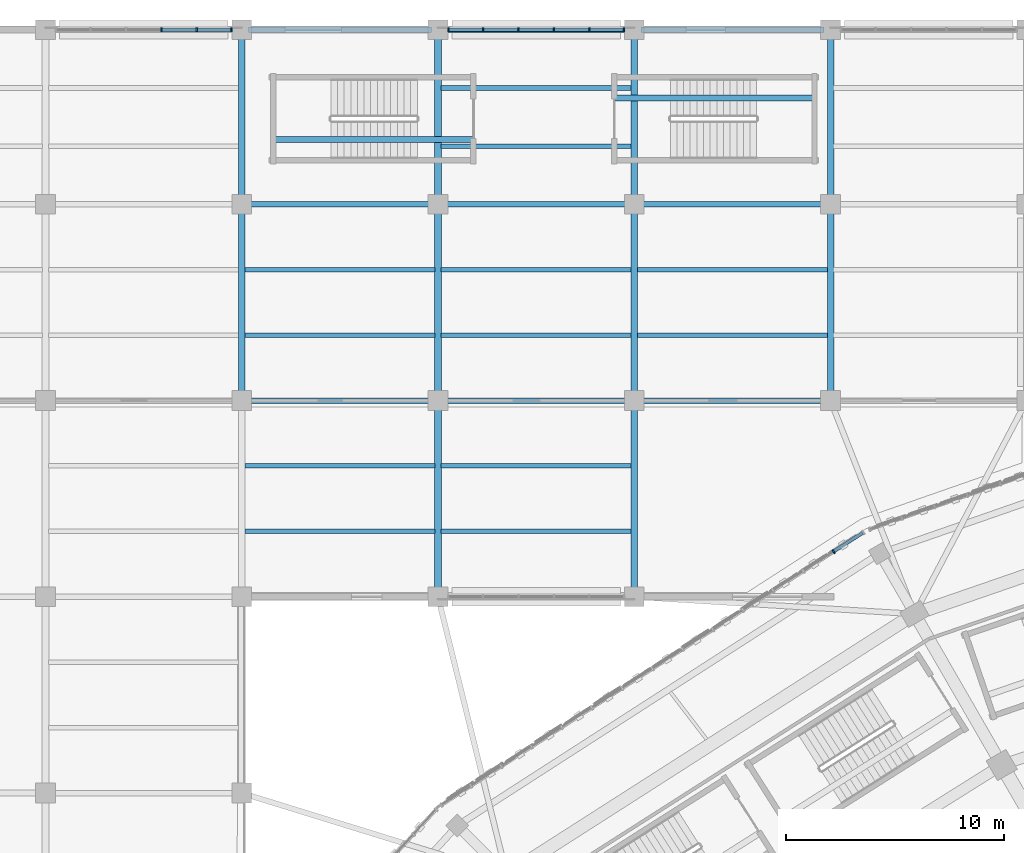
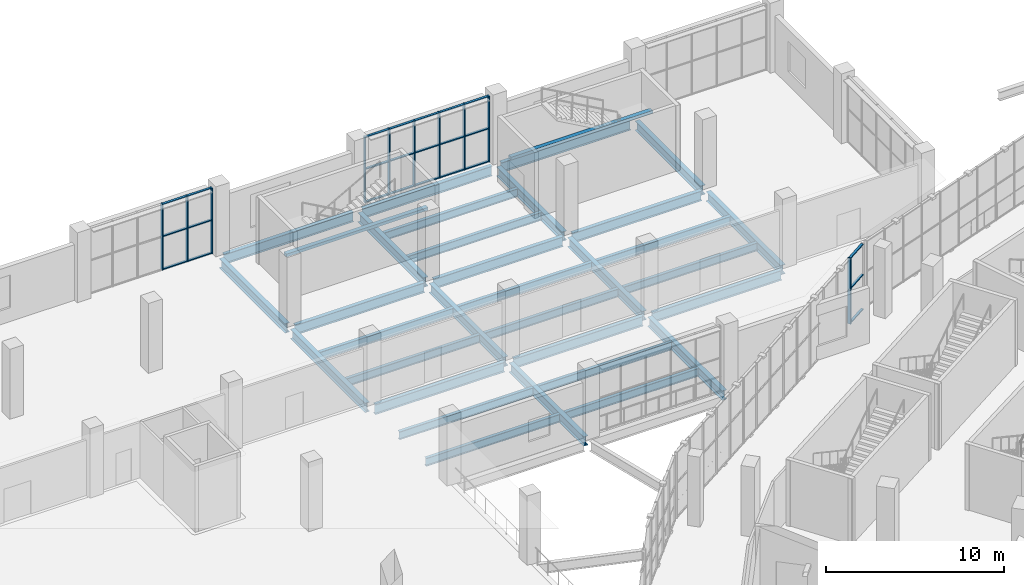
# One storey, part 52 of 183: 34 members, 33 beams, 3 elements without a shape of their own.
"""IFC4 building model written with IfcOpenShell, lengths in metres."""

from ifc_helpers import new_model, si_unit, direction, frame, origin, origin_2d, place, context, subcontext, project, spatial, rectangle, i_section, extrude, material, material_profile, profile_set, type_object, element, aggregate, save


model = new_model("IFC4")

# Units and contexts
model_context = context("Model", 3, precision=1e-05, world=origin(), true_north=direction((0.0, 1.0)))
body_context = subcontext(model_context, "Body", "Model", "MODEL_VIEW")
ifc_project = project(units=[si_unit("LENGTHUNIT", "METRE"), si_unit("AREAUNIT", "SQUARE_METRE"), si_unit("VOLUMEUNIT", "CUBIC_METRE"), si_unit("PLANEANGLEUNIT", "RADIAN"), si_unit("MASSUNIT", "GRAM", prefix="KILO")], contexts=[model_context])

# Site, building, storey
site_placement = place(None, origin())
site = spatial("IfcSite", under=ifc_project, at=site_placement, CompositionType="ELEMENT")
building_placement = place(site_placement, origin())
building = spatial("IfcBuilding", under=site, at=building_placement, Name="Zevraka Park Crest Stadium", CompositionType="ELEMENT")
storey_placement = place(building_placement, frame((0.0, 0.0, 5.39990234375)))
storey = spatial("IfcBuildingStorey", under=building, at=storey_placement, Name="L01", CompositionType="ELEMENT", Elevation=5.39990234375)

# Beams
ifc_material_1 = material(Name="Steel S355", Category="steel")
ifc_material_profile_1 = material_profile(ifc_material_1, i_section(OverallWidth=0.253662109375, OverallDepth=0.68359375, WebThickness=0.012451171875, FlangeThickness=0.01904296875, at=origin_2d()), Name="UKB 686x254x140")
ifc_profile_set_1 = profile_set([ifc_material_profile_1], Name="Steel S355")
beam_type_1 = type_object("IfcBeamType", Name="BG05", PredefinedType="BEAM", material=ifc_profile_set_1)
for number, where, z_axis, x_axis, name in (
    (1, (36.300048828125, 167.0, -0.649658203125), (1.0, 0.0, 0.0), (0.0, 1.0, 0.0), "Wing Girder BG05 L01-56/U"),
    (2, (36.300048828125, 176.0, -0.649658203125), (1.0, 0.0, 0.0), (0.0, 1.0, 0.0), "Wing Girder BG05 L01-56/V"),
    (3, (36.300048828125, 184.0, -0.649658203125), (1.0, 0.0, 0.0), (0.0, 1.0, 0.0), "Wing Girder BG05 L01-56/W"),
    (4, (45.300048828125, 167.0, -0.649658203125), (1.0, 0.0, 0.0), (0.0, 1.0, 0.0), "Wing Girder BG05 L01-67/U"),
    (5, (45.300048828125, 176.0, -0.649658203125), (1.0, 0.0, 0.0), (0.0, 1.0, 0.0), "Wing Girder BG05 L01-67/V"),
    (6, (45.300048828125, 184.0, -0.649658203125), (1.0, 0.0, 0.0), (0.0, 1.0, 0.0), "Wing Girder BG05 L01-67/W"),
    (7, (54.300048828125, 167.0, -0.649658203125), (1.0, 0.0, 0.0), (0.0, 1.0, 0.0), "Wing Girder BG05 L01-78/U"),
    (8, (54.300048828125, 176.0, -0.649658203125), (1.0, 0.0, 0.0), (0.0, 1.0, 0.0), "Wing Girder BG05 L01-78/V"),
    (9, (54.300048828125, 184.0, -0.649658203125), (1.0, 0.0, 0.0), (0.0, 1.0, 0.0), "Wing Girder BG05 L01-78/W"),
):
    element("IfcBeam", number, at=place(storey_placement, frame(where, z_axis=z_axis, x_axis=x_axis)), inside=storey, type_object=beam_type_1, Name=name, PredefinedType="BEAM", context=body_context, shape_type="SweptSolid", body=[
        extrude(i_section(OverallWidth=0.253662109375, OverallDepth=0.68359375, WebThickness=0.012451171875, FlangeThickness=0.01904296875, at=origin_2d()), origin(), (0.0, 0.0, 1.0), 8.39990234375),
    ])
ifc_material_2 = material(Name="Steel S355", Category="steel")
ifc_material_profile_2 = material_profile(ifc_material_2, i_section(OverallWidth=0.300048828125, OverallDepth=0.64990234375, WebThickness=0.01611328125, FlangeThickness=0.031005859375, at=origin_2d()), Name="HEB 650")
ifc_profile_set_2 = profile_set([ifc_material_profile_2], Name="Steel S355")
beam_type_2 = type_object("IfcBeamType", Name="BG07", PredefinedType="BEAM", material=ifc_profile_set_2)
beam_1_placement = place(storey_placement, frame((36.0, 167.300048828125, -0.6328125), z_axis=(0.0, 1.0, 0.0), x_axis=(-1.0, 0.0, 0.0)))
element("IfcBeam", 10, at=beam_1_placement, inside=storey, type_object=beam_type_2, Name="Wing Girder BG07 L01-5/UV", PredefinedType="BEAM", context=body_context, shape_type="SweptSolid", body=[
    extrude(i_section(OverallWidth=0.300048828125, OverallDepth=0.64990234375, WebThickness=0.01611328125, FlangeThickness=0.031005859375, at=origin_2d()), origin(), (0.0, 0.0, 1.0), 8.39990234375),
])
beam_2_placement = place(storey_placement, frame((36.0, 176.300048828125, -0.6328125), z_axis=(0.0, 1.0, 0.0), x_axis=(-1.0, 0.0, 0.0)))
element("IfcBeam", 11, at=beam_2_placement, inside=storey, type_object=beam_type_2, Name="Wing Girder BG07 L01-5/VW", PredefinedType="BEAM", context=body_context, shape_type="SweptSolid", body=[
    extrude(i_section(OverallWidth=0.300048828125, OverallDepth=0.64990234375, WebThickness=0.01611328125, FlangeThickness=0.031005859375, at=origin_2d()), origin(), (0.0, 0.0, 1.0), 7.39990234375),
])
for number, where, z_axis, x_axis, name in (
    (12, (45.0, 158.300048828125, -0.6328125), (0.0, 1.0, 0.0), (-1.0, 0.0, 0.0), "Wing Girder BG07 L01-6/TU"),
    (13, (45.0, 167.300048828125, -0.6328125), (0.0, 1.0, 0.0), (-1.0, 0.0, 0.0), "Wing Girder BG07 L01-6/UV"),
):
    element("IfcBeam", number, at=place(storey_placement, frame(where, z_axis=z_axis, x_axis=x_axis)), inside=storey, type_object=beam_type_2, Name=name, PredefinedType="BEAM", context=body_context, shape_type="SweptSolid", body=[
        extrude(i_section(OverallWidth=0.300048828125, OverallDepth=0.64990234375, WebThickness=0.01611328125, FlangeThickness=0.031005859375, at=origin_2d()), origin(), (0.0, 0.0, 1.0), 8.39990234375),
    ])
beam_3_placement = place(storey_placement, frame((45.0, 176.300048828125, -0.6328125), z_axis=(0.0, 1.0, 0.0), x_axis=(-1.0, 0.0, 0.0)))
element("IfcBeam", 14, at=beam_3_placement, inside=storey, type_object=beam_type_2, Name="Wing Girder BG07 L01-6/VW", PredefinedType="BEAM", context=body_context, shape_type="SweptSolid", body=[
    extrude(i_section(OverallWidth=0.300048828125, OverallDepth=0.64990234375, WebThickness=0.01611328125, FlangeThickness=0.031005859375, at=origin_2d()), origin(), (0.0, 0.0, 1.0), 7.39990234375),
])
for number, where, z_axis, x_axis, name in (
    (15, (54.0, 158.300048828125, -0.6328125), (0.0, 1.0, 0.0), (-1.0, 0.0, 0.0), "Wing Girder BG07 L01-7/TU"),
    (16, (54.0, 167.300048828125, -0.6328125), (0.0, 1.0, 0.0), (-1.0, 0.0, 0.0), "Wing Girder BG07 L01-7/UV"),
):
    element("IfcBeam", number, at=place(storey_placement, frame(where, z_axis=z_axis, x_axis=x_axis)), inside=storey, type_object=beam_type_2, Name=name, PredefinedType="BEAM", context=body_context, shape_type="SweptSolid", body=[
        extrude(i_section(OverallWidth=0.300048828125, OverallDepth=0.64990234375, WebThickness=0.01611328125, FlangeThickness=0.031005859375, at=origin_2d()), origin(), (0.0, 0.0, 1.0), 8.39990234375),
    ])
beam_4_placement = place(storey_placement, frame((54.0, 176.300048828125, -0.6328125), z_axis=(0.0, 1.0, 0.0), x_axis=(-1.0, 0.0, 0.0)))
element("IfcBeam", 17, at=beam_4_placement, inside=storey, type_object=beam_type_2, Name="Wing Girder BG07 L01-7/VW", PredefinedType="BEAM", context=body_context, shape_type="SweptSolid", body=[
    extrude(i_section(OverallWidth=0.300048828125, OverallDepth=0.64990234375, WebThickness=0.01611328125, FlangeThickness=0.031005859375, at=origin_2d()), origin(), (0.0, 0.0, 1.0), 7.39990234375),
])
beam_5_placement = place(storey_placement, frame((63.0, 167.300048828125, -0.6328125), z_axis=(0.0, 1.0, 0.0), x_axis=(-1.0, 0.0, 0.0)))
element("IfcBeam", 18, at=beam_5_placement, inside=storey, type_object=beam_type_2, Name="Wing Girder BG07 L01-8/UV", PredefinedType="BEAM", context=body_context, shape_type="SweptSolid", body=[
    extrude(i_section(OverallWidth=0.300048828125, OverallDepth=0.64990234375, WebThickness=0.01611328125, FlangeThickness=0.031005859375, at=origin_2d()), origin(), (0.0, 0.0, 1.0), 8.39990234375),
])
beam_6_placement = place(storey_placement, frame((63.0, 176.300048828125, -0.6328125), z_axis=(0.0, 1.0, 0.0), x_axis=(-1.0, 0.0, 0.0)))
element("IfcBeam", 19, at=beam_6_placement, inside=storey, type_object=beam_type_2, Name="Wing Girder BG07 L01-8/VW", PredefinedType="BEAM", context=body_context, shape_type="SweptSolid", body=[
    extrude(i_section(OverallWidth=0.300048828125, OverallDepth=0.64990234375, WebThickness=0.01611328125, FlangeThickness=0.031005859375, at=origin_2d()), origin(), (0.0, 0.0, 1.0), 7.39990234375),
])

# Curtain wall, member
ifc_material_3 = material(Name="Anodised architectural aluminium and laminated safety glass", Category="aluminium")
curtain_wall_type_1 = type_object("IfcCurtainWallType", Name="CW03", PredefinedType="NOTDEFINED", material=ifc_material_3)
curtain_wall_1_placement = place(storey_placement, origin())
curtain_wall_1 = element("IfcCurtainWall", 20, at=curtain_wall_1_placement, inside=storey, type_object=curtain_wall_type_1, Name="Unitised Ring Curtain Wall CW03 L01-08", PredefinedType="NOTDEFINED")
ifc_material_4 = material(Name="Anodised architectural aluminium", Category="aluminium")
ifc_material_profile_3 = material_profile(ifc_material_4, rectangle(XDim=0.199951171875, YDim=0.070068359375, at=origin_2d()), Name="ALU MULLION 200x70")
ifc_profile_set_3 = profile_set([ifc_material_profile_3], Name="Anodised architectural aluminium")
member_type_1 = type_object("IfcMemberType", Name="CM03", PredefinedType="MULLION", material=ifc_profile_set_3)
member_1_placement = place(storey_placement, frame((63.140380859375, 160.071044921875, 0.0), z_axis=(0.0, 0.0, 1.0), x_axis=(0.542570628938, -0.840010186018, 0.0)))
member_1 = element("IfcMember", 21, at=member_1_placement, type_object=member_type_1, Name="CW03 mullion 2", PredefinedType="MULLION", context=body_context, shape_type="SweptSolid", body=[
    extrude(rectangle(XDim=0.199951171875, YDim=0.070068359375, at=origin_2d()), origin(), (0.0, 0.0, 1.0), 4.52001953125),
])

# Curtain wall, members
ifc_material_5 = material(Name="Anodised architectural aluminium and laminated safety glass", Category="aluminium")
curtain_wall_type_2 = type_object("IfcCurtainWallType", Name="CW30", PredefinedType="NOTDEFINED", material=ifc_material_5)
curtain_wall_2_placement = place(storey_placement, origin())
curtain_wall_2 = element("IfcCurtainWall", 22, at=curtain_wall_2_placement, inside=storey, type_object=curtain_wall_type_2, Name="Wing Curtain Wall CW30 L01-NW-N-4", PredefinedType="NOTDEFINED")
member_2_placement = place(storey_placement, frame((32.31201171875, 184.0, 0.0), z_axis=(0.0, 0.0, 1.0), x_axis=(0.0, 1.0, 0.0)))
member_2 = element("IfcMember", 23, at=member_2_placement, type_object=member_type_1, Name="CW30 mullion 4", PredefinedType="MULLION", context=body_context, shape_type="SweptSolid", body=[
    extrude(rectangle(XDim=0.199951171875, YDim=0.070068359375, at=origin_2d()), origin(), (0.0, 0.0, 1.0), 4.52001953125),
])
member_3_placement = place(storey_placement, frame((33.93603515625, 184.0, 0.0), z_axis=(0.0, 0.0, 1.0), x_axis=(0.0, 1.0, 0.0)))
member_3 = element("IfcMember", 24, at=member_3_placement, type_object=member_type_1, Name="CW30 mullion 5", PredefinedType="MULLION", context=body_context, shape_type="SweptSolid", body=[
    extrude(rectangle(XDim=0.199951171875, YDim=0.070068359375, at=origin_2d()), origin(), (0.0, 0.0, 1.0), 4.52001953125),
])
member_4_placement = place(storey_placement, frame((35.52490234375, 184.0, 0.0), z_axis=(0.0, 0.0, 1.0), x_axis=(0.0, 1.0, 0.0)))
member_4 = element("IfcMember", 25, at=member_4_placement, type_object=member_type_1, Name="CW30 mullion 6", PredefinedType="MULLION", context=body_context, shape_type="SweptSolid", body=[
    extrude(rectangle(XDim=0.199951171875, YDim=0.070068359375, at=origin_2d()), origin(), (0.0, 0.0, 1.0), 4.52001953125),
])

ifc_material_6 = material(Name="Anodised architectural aluminium and laminated safety glass", Category="aluminium")
curtain_wall_type_3 = type_object("IfcCurtainWallType", Name="CW27", PredefinedType="NOTDEFINED", material=ifc_material_6)
curtain_wall_3_placement = place(storey_placement, origin())
curtain_wall_3 = element("IfcCurtainWall", 26, at=curtain_wall_3_placement, inside=storey, type_object=curtain_wall_type_3, Name="Wing Curtain Wall CW27 L01-NW-N-6", PredefinedType="NOTDEFINED")
member_5_placement = place(storey_placement, frame((45.47509765625, 184.0, 0.0), z_axis=(0.0, 0.0, 1.0), x_axis=(0.0, 1.0, 0.0)))
member_5 = element("IfcMember", 27, at=member_5_placement, type_object=member_type_1, Name="CW27 mullion 1", PredefinedType="MULLION", context=body_context, shape_type="SweptSolid", body=[
    extrude(rectangle(XDim=0.199951171875, YDim=0.070068359375, at=origin_2d()), origin(), (0.0, 0.0, 1.0), 4.52001953125),
])
member_6_placement = place(storey_placement, frame((47.06396484375, 184.0, 0.0), z_axis=(0.0, 0.0, 1.0), x_axis=(0.0, 1.0, 0.0)))
member_6 = element("IfcMember", 28, at=member_6_placement, type_object=member_type_1, Name="CW27 mullion 2", PredefinedType="MULLION", context=body_context, shape_type="SweptSolid", body=[
    extrude(rectangle(XDim=0.199951171875, YDim=0.070068359375, at=origin_2d()), origin(), (0.0, 0.0, 1.0), 4.52001953125),
])
member_7_placement = place(storey_placement, frame((48.68798828125, 184.0, 0.0), z_axis=(0.0, 0.0, 1.0), x_axis=(0.0, 1.0, 0.0)))
member_7 = element("IfcMember", 29, at=member_7_placement, type_object=member_type_1, Name="CW27 mullion 3", PredefinedType="MULLION", context=body_context, shape_type="SweptSolid", body=[
    extrude(rectangle(XDim=0.199951171875, YDim=0.070068359375, at=origin_2d()), origin(), (0.0, 0.0, 1.0), 4.52001953125),
])
member_8_placement = place(storey_placement, frame((50.31201171875, 184.0, 0.0), z_axis=(0.0, 0.0, 1.0), x_axis=(0.0, 1.0, 0.0)))
member_8 = element("IfcMember", 30, at=member_8_placement, type_object=member_type_1, Name="CW27 mullion 4", PredefinedType="MULLION", context=body_context, shape_type="SweptSolid", body=[
    extrude(rectangle(XDim=0.199951171875, YDim=0.070068359375, at=origin_2d()), origin(), (0.0, 0.0, 1.0), 4.52001953125),
])
member_9_placement = place(storey_placement, frame((51.93603515625, 184.0, 0.0), z_axis=(0.0, 0.0, 1.0), x_axis=(0.0, 1.0, 0.0)))
member_9 = element("IfcMember", 31, at=member_9_placement, type_object=member_type_1, Name="CW27 mullion 5", PredefinedType="MULLION", context=body_context, shape_type="SweptSolid", body=[
    extrude(rectangle(XDim=0.199951171875, YDim=0.070068359375, at=origin_2d()), origin(), (0.0, 0.0, 1.0), 4.52001953125),
])
member_10_placement = place(storey_placement, frame((53.52490234375, 184.0, 0.0), z_axis=(0.0, 0.0, 1.0), x_axis=(0.0, 1.0, 0.0)))
member_10 = element("IfcMember", 32, at=member_10_placement, type_object=member_type_1, Name="CW27 mullion 6", PredefinedType="MULLION", context=body_context, shape_type="SweptSolid", body=[
    extrude(rectangle(XDim=0.199951171875, YDim=0.070068359375, at=origin_2d()), origin(), (0.0, 0.0, 1.0), 4.52001953125),
])

# Member
ifc_material_7 = material(Name="Anodised architectural aluminium", Category="aluminium")
ifc_material_profile_4 = material_profile(ifc_material_7, rectangle(XDim=0.14990234375, YDim=0.070068359375, at=origin_2d()), Name="ALU TRANSOM 150x70")
ifc_profile_set_4 = profile_set([ifc_material_profile_4], Name="Anodised architectural aluminium")
member_type_2 = type_object("IfcMemberType", Name="CT03", PredefinedType="USERDEFINED", material=ifc_profile_set_4)
member_11_placement = place(storey_placement, frame((64.46728515625, 160.927978515625, 0.03515625), z_axis=(-0.840082895717, -0.542458042916, 0.0), x_axis=(0.542458042916, -0.840082895717, 0.0)))
member_11 = element("IfcMember", 33, at=member_11_placement, type_object=member_type_2, Name="CW03 transom 1.1", ObjectType="TRANSOM", PredefinedType="USERDEFINED", context=body_context, shape_type="SweptSolid", body=[
    extrude(rectangle(XDim=0.14990234375, YDim=0.070068359375, at=origin_2d()), origin(), (0.0, 0.0, 1.0), 1.544677734375),
])

member_12_placement = place(storey_placement, frame((64.46728515625, 160.927978515625, 2.400146484375), z_axis=(-0.840082895717, -0.542458042916, 0.0), x_axis=(0.542458042916, -0.840082895717, 0.0)))
member_12 = element("IfcMember", 34, at=member_12_placement, type_object=member_type_2, Name="CW03 transom 1.2", ObjectType="TRANSOM", PredefinedType="USERDEFINED", context=body_context, shape_type="SweptSolid", body=[
    extrude(rectangle(XDim=0.14990234375, YDim=0.070068359375, at=origin_2d()), origin(), (0.0, 0.0, 1.0), 1.544677734375),
])

member_13_placement = place(storey_placement, frame((64.46728515625, 160.927978515625, 4.485107421875), z_axis=(-0.840082895717, -0.542458042916, 0.0), x_axis=(0.542458042916, -0.840082895717, 0.0)))
member_13 = element("IfcMember", 35, at=member_13_placement, type_object=member_type_2, Name="CW03 transom 1.3", ObjectType="TRANSOM", PredefinedType="USERDEFINED", context=body_context, shape_type="SweptSolid", body=[
    extrude(rectangle(XDim=0.14990234375, YDim=0.070068359375, at=origin_2d()), origin(), (0.0, 0.0, 1.0), 1.544677734375),
])

aggregate(curtain_wall_1, [member_1, member_11, member_12, member_13])

member_14_placement = place(storey_placement, frame((32.346923828125, 184.0, 0.03515625), z_axis=(1.0, 0.0, 0.0), x_axis=(0.0, 1.0, 0.0)))
member_14 = element("IfcMember", 36, at=member_14_placement, type_object=member_type_2, Name="CW30 transom 4.1", ObjectType="TRANSOM", PredefinedType="USERDEFINED", context=body_context, shape_type="SweptSolid", body=[
    extrude(rectangle(XDim=0.14990234375, YDim=0.070068359375, at=origin_2d()), origin(), (0.0, 0.0, 1.0), 1.553955078125),
])

member_15_placement = place(storey_placement, frame((32.346923828125, 184.0, 2.300048828125), z_axis=(1.0, 0.0, 0.0), x_axis=(0.0, 1.0, 0.0)))
member_15 = element("IfcMember", 37, at=member_15_placement, type_object=member_type_2, Name="CW30 transom 4.2", ObjectType="TRANSOM", PredefinedType="USERDEFINED", context=body_context, shape_type="SweptSolid", body=[
    extrude(rectangle(XDim=0.14990234375, YDim=0.070068359375, at=origin_2d()), origin(), (0.0, 0.0, 1.0), 1.553955078125),
])

member_16_placement = place(storey_placement, frame((32.346923828125, 184.0, 4.485107421875), z_axis=(1.0, 0.0, 0.0), x_axis=(0.0, 1.0, 0.0)))
member_16 = element("IfcMember", 38, at=member_16_placement, type_object=member_type_2, Name="CW30 transom 4.3", ObjectType="TRANSOM", PredefinedType="USERDEFINED", context=body_context, shape_type="SweptSolid", body=[
    extrude(rectangle(XDim=0.14990234375, YDim=0.070068359375, at=origin_2d()), origin(), (0.0, 0.0, 1.0), 1.553955078125),
])

member_17_placement = place(storey_placement, frame((33.970947265625, 184.0, 0.03515625), z_axis=(1.0, 0.0, 0.0), x_axis=(0.0, 1.0, 0.0)))
member_17 = element("IfcMember", 39, at=member_17_placement, type_object=member_type_2, Name="CW30 transom 5.1", ObjectType="TRANSOM", PredefinedType="USERDEFINED", context=body_context, shape_type="SweptSolid", body=[
    extrude(rectangle(XDim=0.14990234375, YDim=0.070068359375, at=origin_2d()), origin(), (0.0, 0.0, 1.0), 1.51904296875),
])

member_18_placement = place(storey_placement, frame((33.970947265625, 184.0, 2.300048828125), z_axis=(1.0, 0.0, 0.0), x_axis=(0.0, 1.0, 0.0)))
member_18 = element("IfcMember", 40, at=member_18_placement, type_object=member_type_2, Name="CW30 transom 5.2", ObjectType="TRANSOM", PredefinedType="USERDEFINED", context=body_context, shape_type="SweptSolid", body=[
    extrude(rectangle(XDim=0.14990234375, YDim=0.070068359375, at=origin_2d()), origin(), (0.0, 0.0, 1.0), 1.51904296875),
])

member_19_placement = place(storey_placement, frame((33.970947265625, 184.0, 4.485107421875), z_axis=(1.0, 0.0, 0.0), x_axis=(0.0, 1.0, 0.0)))
member_19 = element("IfcMember", 41, at=member_19_placement, type_object=member_type_2, Name="CW30 transom 5.3", ObjectType="TRANSOM", PredefinedType="USERDEFINED", context=body_context, shape_type="SweptSolid", body=[
    extrude(rectangle(XDim=0.14990234375, YDim=0.070068359375, at=origin_2d()), origin(), (0.0, 0.0, 1.0), 1.51904296875),
])

aggregate(curtain_wall_2, [member_2, member_3, member_4, member_14, member_15, member_16, member_17, member_18, member_19])

member_20_placement = place(storey_placement, frame((45.510009765625, 184.0, 0.03515625), z_axis=(1.0, 0.0, 0.0), x_axis=(0.0, 1.0, 0.0)))
member_20 = element("IfcMember", 42, at=member_20_placement, type_object=member_type_2, Name="CW27 transom 1.1", ObjectType="TRANSOM", PredefinedType="USERDEFINED", context=body_context, shape_type="SweptSolid", body=[
    extrude(rectangle(XDim=0.14990234375, YDim=0.070068359375, at=origin_2d()), origin(), (0.0, 0.0, 1.0), 1.51904296875),
])

member_21_placement = place(storey_placement, frame((45.510009765625, 184.0, 2.300048828125), z_axis=(1.0, 0.0, 0.0), x_axis=(0.0, 1.0, 0.0)))
member_21 = element("IfcMember", 43, at=member_21_placement, type_object=member_type_2, Name="CW27 transom 1.2", ObjectType="TRANSOM", PredefinedType="USERDEFINED", context=body_context, shape_type="SweptSolid", body=[
    extrude(rectangle(XDim=0.14990234375, YDim=0.070068359375, at=origin_2d()), origin(), (0.0, 0.0, 1.0), 1.51904296875),
])

member_22_placement = place(storey_placement, frame((45.510009765625, 184.0, 4.485107421875), z_axis=(1.0, 0.0, 0.0), x_axis=(0.0, 1.0, 0.0)))
member_22 = element("IfcMember", 44, at=member_22_placement, type_object=member_type_2, Name="CW27 transom 1.3", ObjectType="TRANSOM", PredefinedType="USERDEFINED", context=body_context, shape_type="SweptSolid", body=[
    extrude(rectangle(XDim=0.14990234375, YDim=0.070068359375, at=origin_2d()), origin(), (0.0, 0.0, 1.0), 1.51904296875),
])

member_23_placement = place(storey_placement, frame((47.09912109375, 184.0, 0.03515625), z_axis=(1.0, 0.0, 0.0), x_axis=(0.0, 1.0, 0.0)))
member_23 = element("IfcMember", 45, at=member_23_placement, type_object=member_type_2, Name="CW27 transom 2.1", ObjectType="TRANSOM", PredefinedType="USERDEFINED", context=body_context, shape_type="SweptSolid", body=[
    extrude(rectangle(XDim=0.14990234375, YDim=0.070068359375, at=origin_2d()), origin(), (0.0, 0.0, 1.0), 1.553955078125),
])

member_24_placement = place(storey_placement, frame((47.09912109375, 184.0, 2.300048828125), z_axis=(1.0, 0.0, 0.0), x_axis=(0.0, 1.0, 0.0)))
member_24 = element("IfcMember", 46, at=member_24_placement, type_object=member_type_2, Name="CW27 transom 2.2", ObjectType="TRANSOM", PredefinedType="USERDEFINED", context=body_context, shape_type="SweptSolid", body=[
    extrude(rectangle(XDim=0.14990234375, YDim=0.070068359375, at=origin_2d()), origin(), (0.0, 0.0, 1.0), 1.553955078125),
])

member_25_placement = place(storey_placement, frame((47.09912109375, 184.0, 4.485107421875), z_axis=(1.0, 0.0, 0.0), x_axis=(0.0, 1.0, 0.0)))
member_25 = element("IfcMember", 47, at=member_25_placement, type_object=member_type_2, Name="CW27 transom 2.3", ObjectType="TRANSOM", PredefinedType="USERDEFINED", context=body_context, shape_type="SweptSolid", body=[
    extrude(rectangle(XDim=0.14990234375, YDim=0.070068359375, at=origin_2d()), origin(), (0.0, 0.0, 1.0), 1.553955078125),
])

member_26_placement = place(storey_placement, frame((48.722900390625, 184.0, 0.03515625), z_axis=(1.0, 0.0, 0.0), x_axis=(0.0, 1.0, 0.0)))
member_26 = element("IfcMember", 48, at=member_26_placement, type_object=member_type_2, Name="CW27 transom 3.1", ObjectType="TRANSOM", PredefinedType="USERDEFINED", context=body_context, shape_type="SweptSolid", body=[
    extrude(rectangle(XDim=0.14990234375, YDim=0.070068359375, at=origin_2d()), origin(), (0.0, 0.0, 1.0), 1.55419921875),
])

member_27_placement = place(storey_placement, frame((48.722900390625, 184.0, 2.300048828125), z_axis=(1.0, 0.0, 0.0), x_axis=(0.0, 1.0, 0.0)))
member_27 = element("IfcMember", 49, at=member_27_placement, type_object=member_type_2, Name="CW27 transom 3.2", ObjectType="TRANSOM", PredefinedType="USERDEFINED", context=body_context, shape_type="SweptSolid", body=[
    extrude(rectangle(XDim=0.14990234375, YDim=0.070068359375, at=origin_2d()), origin(), (0.0, 0.0, 1.0), 1.55419921875),
])

member_28_placement = place(storey_placement, frame((48.722900390625, 184.0, 4.485107421875), z_axis=(1.0, 0.0, 0.0), x_axis=(0.0, 1.0, 0.0)))
member_28 = element("IfcMember", 50, at=member_28_placement, type_object=member_type_2, Name="CW27 transom 3.3", ObjectType="TRANSOM", PredefinedType="USERDEFINED", context=body_context, shape_type="SweptSolid", body=[
    extrude(rectangle(XDim=0.14990234375, YDim=0.070068359375, at=origin_2d()), origin(), (0.0, 0.0, 1.0), 1.55419921875),
])

member_29_placement = place(storey_placement, frame((50.346923828125, 184.0, 0.03515625), z_axis=(1.0, 0.0, 0.0), x_axis=(0.0, 1.0, 0.0)))
member_29 = element("IfcMember", 51, at=member_29_placement, type_object=member_type_2, Name="CW27 transom 4.1", ObjectType="TRANSOM", PredefinedType="USERDEFINED", context=body_context, shape_type="SweptSolid", body=[
    extrude(rectangle(XDim=0.14990234375, YDim=0.070068359375, at=origin_2d()), origin(), (0.0, 0.0, 1.0), 1.553955078125),
])

member_30_placement = place(storey_placement, frame((50.346923828125, 184.0, 2.300048828125), z_axis=(1.0, 0.0, 0.0), x_axis=(0.0, 1.0, 0.0)))
member_30 = element("IfcMember", 52, at=member_30_placement, type_object=member_type_2, Name="CW27 transom 4.2", ObjectType="TRANSOM", PredefinedType="USERDEFINED", context=body_context, shape_type="SweptSolid", body=[
    extrude(rectangle(XDim=0.14990234375, YDim=0.070068359375, at=origin_2d()), origin(), (0.0, 0.0, 1.0), 1.553955078125),
])

member_31_placement = place(storey_placement, frame((50.346923828125, 184.0, 4.485107421875), z_axis=(1.0, 0.0, 0.0), x_axis=(0.0, 1.0, 0.0)))
member_31 = element("IfcMember", 53, at=member_31_placement, type_object=member_type_2, Name="CW27 transom 4.3", ObjectType="TRANSOM", PredefinedType="USERDEFINED", context=body_context, shape_type="SweptSolid", body=[
    extrude(rectangle(XDim=0.14990234375, YDim=0.070068359375, at=origin_2d()), origin(), (0.0, 0.0, 1.0), 1.553955078125),
])

member_32_placement = place(storey_placement, frame((51.970947265625, 184.0, 0.03515625), z_axis=(1.0, 0.0, 0.0), x_axis=(0.0, 1.0, 0.0)))
member_32 = element("IfcMember", 54, at=member_32_placement, type_object=member_type_2, Name="CW27 transom 5.1", ObjectType="TRANSOM", PredefinedType="USERDEFINED", context=body_context, shape_type="SweptSolid", body=[
    extrude(rectangle(XDim=0.14990234375, YDim=0.070068359375, at=origin_2d()), origin(), (0.0, 0.0, 1.0), 1.51904296875),
])

member_33_placement = place(storey_placement, frame((51.970947265625, 184.0, 2.300048828125), z_axis=(1.0, 0.0, 0.0), x_axis=(0.0, 1.0, 0.0)))
member_33 = element("IfcMember", 55, at=member_33_placement, type_object=member_type_2, Name="CW27 transom 5.2", ObjectType="TRANSOM", PredefinedType="USERDEFINED", context=body_context, shape_type="SweptSolid", body=[
    extrude(rectangle(XDim=0.14990234375, YDim=0.070068359375, at=origin_2d()), origin(), (0.0, 0.0, 1.0), 1.51904296875),
])

member_34_placement = place(storey_placement, frame((51.970947265625, 184.0, 4.485107421875), z_axis=(1.0, 0.0, 0.0), x_axis=(0.0, 1.0, 0.0)))
member_34 = element("IfcMember", 56, at=member_34_placement, type_object=member_type_2, Name="CW27 transom 5.3", ObjectType="TRANSOM", PredefinedType="USERDEFINED", context=body_context, shape_type="SweptSolid", body=[
    extrude(rectangle(XDim=0.14990234375, YDim=0.070068359375, at=origin_2d()), origin(), (0.0, 0.0, 1.0), 1.51904296875),
])

aggregate(curtain_wall_3, [member_5, member_6, member_7, member_8, member_9, member_10, member_20, member_21, member_22, member_23, member_24, member_25, member_26, member_27, member_28, member_29, member_30, member_31, member_32, member_33, member_34])

# Beams
ifc_material_8 = material(Name="Steel S355", Category="steel")
ifc_material_profile_5 = material_profile(ifc_material_8, i_section(OverallWidth=0.2099609375, OverallDepth=0.550048828125, WebThickness=0.010986328125, FlangeThickness=0.01708984375, at=origin_2d()), Name="IPE 550")
ifc_profile_set_5 = profile_set([ifc_material_profile_5], Name="Steel S355")
beam_type_3 = type_object("IfcBeamType", Name="SJ04", PredefinedType="JOIST", material=ifc_profile_set_5)
for number, where, z_axis, x_axis, name in (
    (57, (36.14501953125, 161.0, -0.5849609375), (1.0, 0.0, 0.0), (0.0, 1.0, 0.0), "Wing Joist SJ04 L01-5/T-1"),
    (58, (36.14501953125, 164.0, -0.5849609375), (1.0, 0.0, 0.0), (0.0, 1.0, 0.0), "Wing Joist SJ04 L01-5/T-2"),
    (59, (36.14501953125, 170.0, -0.5849609375), (1.0, 0.0, 0.0), (0.0, 1.0, 0.0), "Wing Joist SJ04 L01-5/U-1"),
    (60, (36.14501953125, 173.0, -0.5849609375), (1.0, 0.0, 0.0), (0.0, 1.0, 0.0), "Wing Joist SJ04 L01-5/U-2"),
    (61, (45.14501953125, 161.0, -0.5849609375), (1.0, 0.0, 0.0), (0.0, 1.0, 0.0), "Wing Joist SJ04 L01-6/T-1"),
    (62, (45.14501953125, 164.0, -0.5849609375), (1.0, 0.0, 0.0), (0.0, 1.0, 0.0), "Wing Joist SJ04 L01-6/T-2"),
    (63, (45.14501953125, 170.0, -0.5849609375), (1.0, 0.0, 0.0), (0.0, 1.0, 0.0), "Wing Joist SJ04 L01-6/U-1"),
    (64, (45.14501953125, 173.0, -0.5849609375), (1.0, 0.0, 0.0), (0.0, 1.0, 0.0), "Wing Joist SJ04 L01-6/U-2"),
    (65, (45.14501953125, 178.6669921875, -0.5849609375), (1.0, 0.0, 0.0), (0.0, 1.0, 0.0), "Wing Joist SJ04 L01-6/V-1"),
    (66, (45.14501953125, 181.3330078125, -0.5849609375), (1.0, 0.0, 0.0), (0.0, 1.0, 0.0), "Wing Joist SJ04 L01-6/V-2"),
    (67, (54.14501953125, 170.0, -0.5849609375), (1.0, 0.0, 0.0), (0.0, 1.0, 0.0), "Wing Joist SJ04 L01-7/U-1"),
    (68, (54.14501953125, 173.0, -0.5849609375), (1.0, 0.0, 0.0), (0.0, 1.0, 0.0), "Wing Joist SJ04 L01-7/U-2"),
):
    element("IfcBeam", number, at=place(storey_placement, frame(where, z_axis=z_axis, x_axis=x_axis)), inside=storey, type_object=beam_type_3, Name=name, PredefinedType="JOIST", context=body_context, shape_type="SweptSolid", body=[
        extrude(i_section(OverallWidth=0.2099609375, OverallDepth=0.550048828125, WebThickness=0.010986328125, FlangeThickness=0.01708984375, at=origin_2d()), origin(), (0.0, 0.0, 1.0), 8.7099609375),
    ])
ifc_material_9 = material(Name="Concrete C40/50", Category="concrete")
ifc_material_profile_6 = material_profile(ifc_material_9, rectangle(XDim=0.280029296875, YDim=0.199951171875, at=origin_2d()), Name="RC 200x280")
ifc_profile_set_6 = profile_set([ifc_material_profile_6], Name="Concrete C40/50")
beam_type_4 = type_object("IfcBeamType", Name="SJ13", PredefinedType="JOIST", material=ifc_profile_set_6)
beam_7_placement = place(storey_placement, frame((46.60009765625, 178.965087890625, 2.300048828125), z_axis=(-1.0, 0.0, 0.0), x_axis=(0.0, -1.0, 0.0)))
element("IfcBeam", 69, at=beam_7_placement, inside=storey, type_object=beam_type_4, Name="Stair Upper-Flight Longitudinal Stringer SJ13 ST49-L01", PredefinedType="JOIST", context=body_context, shape_type="SweptSolid", body=[
    extrude(rectangle(XDim=0.280029296875, YDim=0.199951171875, at=origin_2d()), origin(), (0.0, 0.0, 1.0), 9.2001953125),
])
beam_8_placement = place(storey_placement, frame((53.10009765625, 180.875, 2.300048828125), z_axis=(1.0, 0.0, 0.0), x_axis=(0.0, 1.0, 0.0)))
element("IfcBeam", 70, at=beam_8_placement, inside=storey, type_object=beam_type_4, Name="Stair Upper-Flight Longitudinal Stringer SJ13 ST50-L01", PredefinedType="JOIST", context=body_context, shape_type="SweptSolid", body=[
    extrude(rectangle(XDim=0.280029296875, YDim=0.199951171875, at=origin_2d()), origin(), (0.0, 0.0, 1.0), 9.199951171875),
])

save(model, "model.ifc")
